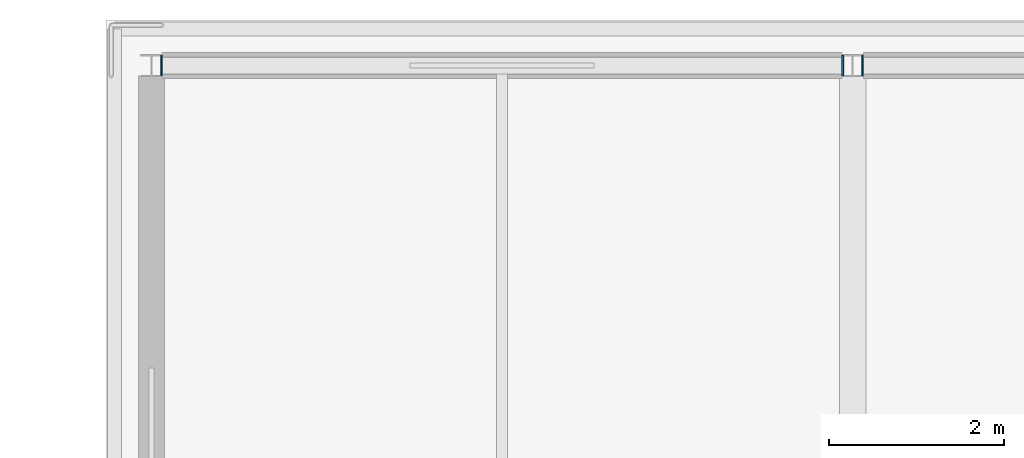
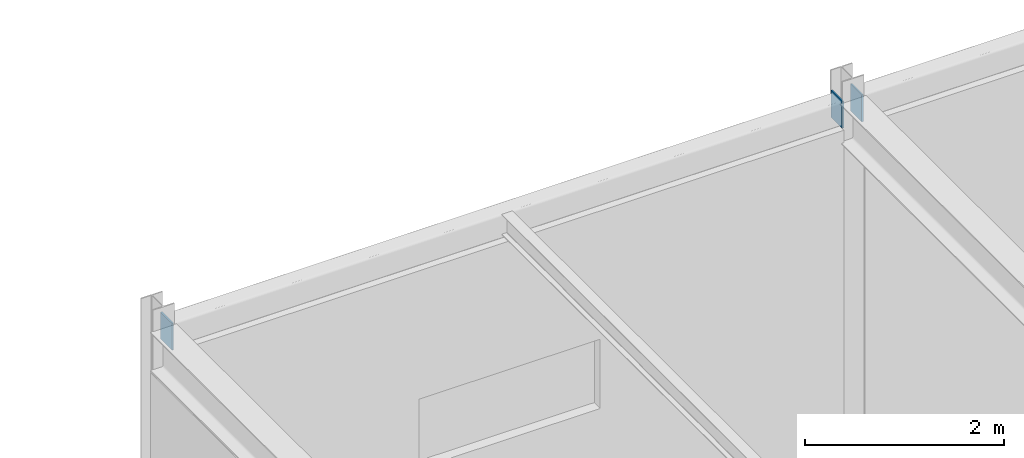
# One storey, part 140 of 184: 3 plates.
"""IFC4 building model written with IfcOpenShell, lengths in metres."""

from ifc_helpers import new_model, si_unit, direction, frame, origin, origin_2d, place, context, subcontext, project, spatial, rectangle, extrude, material, layer, layer_set, type_object, element, save


model = new_model("IFC4")

# Units and contexts
model_context = context("Model", 3, precision=1e-05, world=origin(), true_north=direction((0.0, 1.0)))
body_context = subcontext(model_context, "Body", "Model", "MODEL_VIEW")
ifc_project = project(units=[si_unit("LENGTHUNIT", "METRE"), si_unit("AREAUNIT", "SQUARE_METRE"), si_unit("VOLUMEUNIT", "CUBIC_METRE"), si_unit("PLANEANGLEUNIT", "RADIAN"), si_unit("MASSUNIT", "GRAM", prefix="KILO")], contexts=[model_context])

# Site, building, storey
site_placement = place(None, origin())
site = spatial("IfcSite", under=ifc_project, at=site_placement, CompositionType="ELEMENT")
building_placement = place(site_placement, origin())
building = spatial("IfcBuilding", under=site, at=building_placement, Name="Zhaolan Boulevard Law Courts", CompositionType="ELEMENT")
storey_placement = place(building_placement, frame((0.0, 0.0, 5.39990234375)))
storey = spatial("IfcBuildingStorey", under=building, at=storey_placement, Name="L01", CompositionType="ELEMENT", Elevation=5.39990234375)

# Plates
ifc_material = material(Name="Structural steel Q355B", Category="steel")
ifc_layer = layer(ifc_material, 0.02001953125)
ifc_layer_set = layer_set([ifc_layer])
plate_type = type_object("IfcPlateType", Name="END CAP PLATE 20", PredefinedType="SHEET", material=ifc_layer_set)
for number, where, z_axis, x_axis, name in (
    (1, (52.113037109375, 112.0, 4.822998046875), (0.0, 0.0, 1.0), (1.0, 0.0, 0.0), "Hollow Section End-Cap Plate ECP-0863"),
    (2, (59.886962890625, 112.0, 4.822998046875), (0.0, 0.0, 1.0), (1.0, 0.0, 0.0), "Hollow Section End-Cap Plate ECP-0864"),
    (3, (60.113037109375, 112.0, 4.822998046875), (0.0, 0.0, 1.0), (1.0, 0.0, 0.0), "Hollow Section End-Cap Plate ECP-0865"),
):
    element("IfcPlate", number, at=place(storey_placement, frame(where, z_axis=z_axis, x_axis=x_axis)), inside=storey, type_object=plate_type, Name=name, PredefinedType="SHEET", context=body_context, shape_type="SweptSolid", body=[
        extrude(rectangle(XDim=0.02001953125, YDim=0.22998046875, at=origin_2d()), origin(), (0.0, 0.0, 1.0), 0.330078125),
    ])

save(model, "model.ifc")
